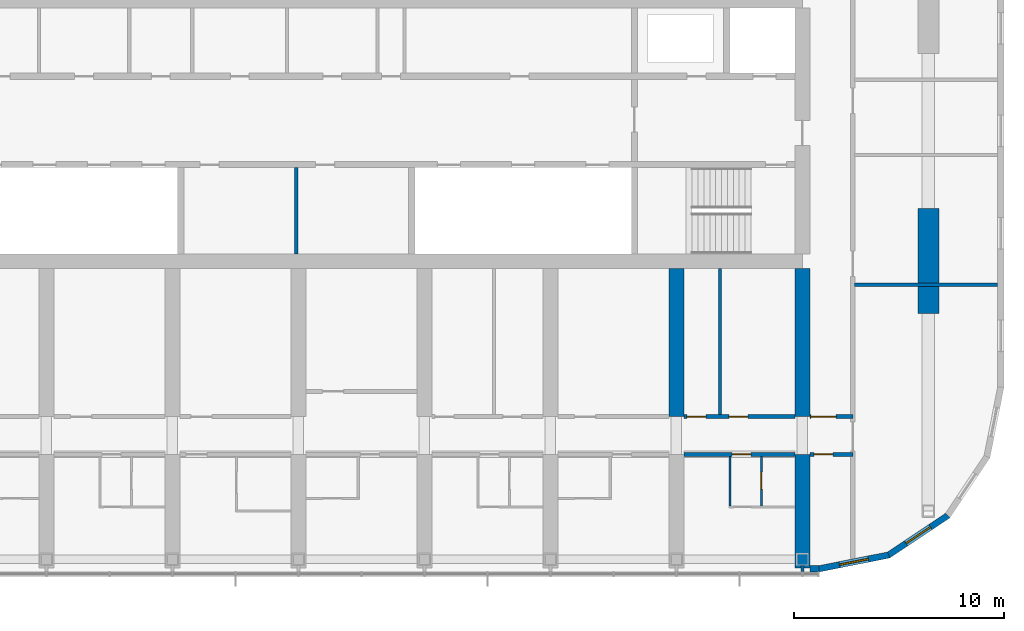
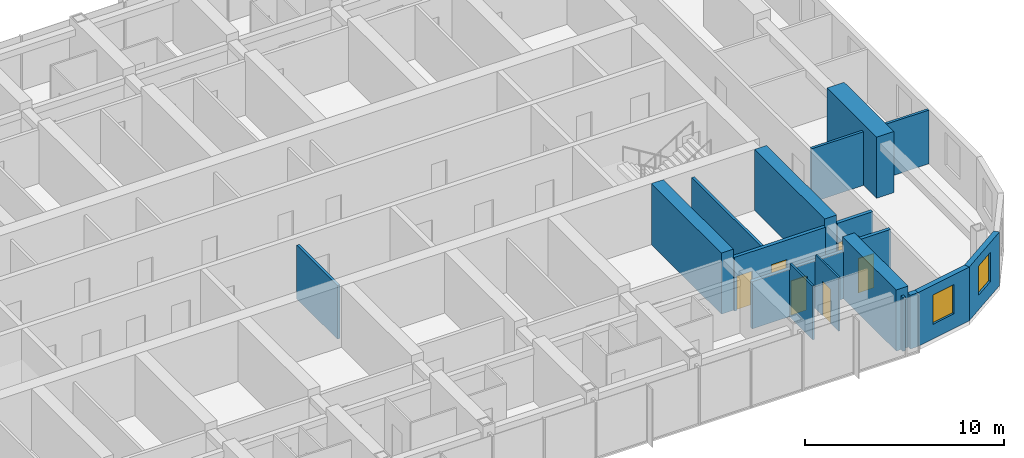
# One storey, part 13 of 23: 17 walls, 6 doors, 2 windows, 8 openings.
"""IFC4 building model written with IfcOpenShell, lengths in metres."""

from ifc_helpers import new_model, si_unit, direction, frame, frame_2d, origin, place, context, subcontext, project, spatial, polyline, rectangle, outline, extrude, material, layer, layer_set, type_object, element, fill, save


model = new_model("IFC4")

# Units and contexts
model_context = context("Model", 3, precision=1e-05, world=origin(), true_north=direction((0.0, 1.0)))
body_context = subcontext(model_context, "Body", "Model", "MODEL_VIEW")
ifc_project = project(units=[si_unit("LENGTHUNIT", "METRE"), si_unit("AREAUNIT", "SQUARE_METRE"), si_unit("VOLUMEUNIT", "CUBIC_METRE"), si_unit("PLANEANGLEUNIT", "RADIAN"), si_unit("MASSUNIT", "GRAM", prefix="KILO")], contexts=[model_context])

# Site, building, storey
site_placement = place(None, origin())
site = spatial("IfcSite", under=ifc_project, at=site_placement, CompositionType="ELEMENT")
building_placement = place(site_placement, origin())
building = spatial("IfcBuilding", under=site, at=building_placement, Name="Orbita Commons", CompositionType="ELEMENT")
storey_placement = place(building_placement, frame((0.0, 0.0, 227.800048828125)))
storey = spatial("IfcBuildingStorey", under=building, at=storey_placement, Name="L56", CompositionType="ELEMENT", Elevation=227.800048828125)

# Wall
ifc_material_1 = material(Name="Concrete blockwork", Category="masonry")
ifc_layer_1 = layer(ifc_material_1, 0.14990234375)
ifc_layer_set_1 = layer_set([ifc_layer_1], Name="Concrete blockwork")
wall_type_1 = type_object("IfcWallType", Name="Core partition 150 blockwork", PredefinedType="SOLIDWALL", material=ifc_layer_set_1)
wall_1_placement = place(storey_placement, frame((41.89990234375, 26.14990234375, 0.0), z_axis=(0.0, 0.0, 1.0), x_axis=(0.0, 1.0, 0.0)))
element("IfcWall", 1, at=wall_1_placement, inside=storey, type_object=wall_type_1, Name="Core partition 150 blockwork L56", PredefinedType="SOLIDWALL", context=body_context, shape_type="SweptSolid", body=[
    extrude(rectangle(XDim=4.10009765625, YDim=0.14990234375, at=frame_2d((2.050048828125, 0.0))), origin(), (0.0, 0.0, 1.0), 3.300048828125),
])

# Wall, opening, door
ifc_material_2 = material(Name="Concrete blockwork", Category="masonry")
ifc_layer_2 = layer(ifc_material_2, 0.199951171875)
ifc_layer_set_2 = layer_set([ifc_layer_2], Name="Concrete blockwork")
wall_type_2 = type_object("IfcWallType", Name="Corridor wall 200 blockwork", PredefinedType="SOLIDWALL", material=ifc_layer_set_2)
wall_2_placement = place(storey_placement, frame((60.35009765625, 16.60009765625, 0.0), z_axis=(0.0, 0.0, 1.0), x_axis=(1.0, 0.0, 0.0)))
wall_2 = element("IfcWall", 2, at=wall_2_placement, inside=storey, type_object=wall_type_2, Name="Corridor wall 200 blockwork L56", PredefinedType="SOLIDWALL", context=body_context, shape_type="SweptSolid", body=[
    extrude(outline(polyline([(0.0, 0.0), (5.2998046875, 0.0), (5.300048828125, 2.89990234375), (0.0, 2.89990234375), (0.0, 0.0)])), frame((0.0, 0.10009765625, 0.0), z_axis=(0.0, -1.0, 0.0), x_axis=(1.0, 0.0, 0.0)), (0.0, 0.0, 1.0), 0.199951171875),
])
opening_1_placement = place(wall_2_placement, frame((2.300048828125, 0.0, 0.0)))
opening_1 = element("IfcOpeningElement", 3, at=opening_1_placement, cuts=wall_2, Name="Opening D11", PredefinedType="OPENING", context=body_context, shape_type="SweptSolid", body=[
    extrude(rectangle(XDim=0.89990234375, YDim=2.10009765625, at=frame_2d((0.449951171875, 1.050048828125))), frame((0.0, 0.10986328125, 0.0), z_axis=(0.0, -1.0, 0.0), x_axis=(1.0, 0.0, 0.0)), (0.0, 0.0, 1.0), 0.219970703125),
])
ifc_material_3 = material(Name="Steel-faced fire door leaf", Category="steel")
door_type_1 = type_object("IfcDoorType", Name="Corridor door 20 min 900x2100", OperationType="SINGLE_SWING_LEFT", PredefinedType="DOOR", material=ifc_material_3)
door_1_placement = place(opening_1_placement, origin())
door_1 = element("IfcDoor", 4, at=door_1_placement, inside=storey, type_object=door_type_1, Name="Studio flat L56-S14 entrance door", OperationType="SINGLE_SWING_LEFT", OverallHeight=2.10009765625, OverallWidth=0.89990234375, PredefinedType="DOOR", context=body_context, shape_type="SweptSolid", body=[
    extrude(rectangle(XDim=0.89990234375, YDim=2.10009765625, at=frame_2d((0.449951171875, 1.050048828125))), frame((0.0, 0.02490234375, 0.0), z_axis=(0.0, -1.0, 0.0), x_axis=(1.0, 0.0, 0.0)), (0.0, 0.0, 1.0), 0.050048828125),
])
fill(opening_1, door_1)

wall_3_placement = place(storey_placement, frame((66.35009765625, 16.60009765625, 0.0), z_axis=(0.0, 0.0, 1.0), x_axis=(1.0, 0.0, 0.0)))
wall_3 = element("IfcWall", 5, at=wall_3_placement, inside=storey, type_object=wall_type_2, Name="Corridor wall 200 blockwork L56", PredefinedType="SOLIDWALL", context=body_context, shape_type="SweptSolid", body=[
    extrude(rectangle(XDim=2.0498046875, YDim=0.199951171875, at=frame_2d((1.02490234375, 0.0))), origin(), (0.0, 0.0, 1.0), 3.300048828125),
])
opening_2_placement = place(wall_3_placement, frame((0.199951171875, 0.0, 0.0)))
opening_2 = element("IfcOpeningElement", 6, at=opening_2_placement, cuts=wall_3, Name="Opening D05", PredefinedType="OPENING", context=body_context, shape_type="SweptSolid", body=[
    extrude(rectangle(XDim=0.89990234375, YDim=2.10009765625, at=frame_2d((0.449951171875, 1.050048828125))), frame((0.0, 0.10986328125, 0.0), z_axis=(0.0, -1.0, 0.0), x_axis=(1.0, 0.0, 0.0)), (0.0, 0.0, 1.0), 0.219970703125),
])
ifc_material_4 = material(Name="Steel-faced fire door leaf", Category="steel")
door_type_2 = type_object("IfcDoorType", Name="Service door 20 min 900x2100", OperationType="SINGLE_SWING_LEFT", PredefinedType="DOOR", material=ifc_material_4)
door_2_placement = place(opening_2_placement, origin())
door_2 = element("IfcDoor", 7, at=door_2_placement, inside=storey, type_object=door_type_2, Name="Linen store L56-KES door", OperationType="SINGLE_SWING_LEFT", OverallHeight=2.10009765625, OverallWidth=0.89990234375, PredefinedType="DOOR", context=body_context, shape_type="SweptSolid", body=[
    extrude(rectangle(XDim=0.89990234375, YDim=2.10009765625, at=frame_2d((0.449951171875, 1.050048828125))), frame((0.0, 0.02490234375, 0.0), z_axis=(0.0, -1.0, 0.0), x_axis=(1.0, 0.0, 0.0)), (0.0, 0.0, 1.0), 0.050048828125),
])
fill(opening_2, door_2)

# Wall, openings, doors
ifc_material_5 = material(Name="Hollow concrete block 200", Category="concrete")
ifc_layer_3 = layer(ifc_material_5, 0.199951171875)
ifc_layer_set_3 = layer_set([ifc_layer_3], Name="Hollow concrete block 200")
wall_type_3 = type_object("IfcWallType", Name="Corridor wall 200 hollow concrete block", PredefinedType="SOLIDWALL", material=ifc_layer_set_3)
wall_4_placement = place(storey_placement, frame((60.35009765625, 18.39990234375, 0.0), z_axis=(0.0, 0.0, 1.0), x_axis=(1.0, 0.0, 0.0)))
wall_4 = element("IfcWall", 8, at=wall_4_placement, inside=storey, type_object=wall_type_3, Name="Corridor wall 200 hollow concrete block L56", PredefinedType="SOLIDWALL", context=body_context, shape_type="SweptSolid", body=[
    extrude(rectangle(XDim=5.2998046875, YDim=0.199951171875, at=frame_2d((2.64990234375, 0.0))), origin(), (0.0, 0.0, 1.0), 3.300048828125),
])
opening_3_placement = place(wall_4_placement, frame((0.14990234375, 0.0, 0.0)))
opening_3 = element("IfcOpeningElement", 9, at=opening_3_placement, cuts=wall_4, Name="Opening D11", PredefinedType="OPENING", context=body_context, shape_type="SweptSolid", body=[
    extrude(rectangle(XDim=0.89990234375, YDim=2.10009765625, at=frame_2d((0.449951171875, 1.050048828125))), frame((0.0, 0.10986328125, 0.0), z_axis=(0.0, -1.0, 0.0), x_axis=(1.0, 0.0, 0.0)), (0.0, 0.0, 1.0), 0.219970703125),
])
opening_4_placement = place(wall_4_placement, frame((2.14990234375, 0.0, 0.0)))
opening_4 = element("IfcOpeningElement", 10, at=opening_4_placement, cuts=wall_4, Name="Opening D11", PredefinedType="OPENING", context=body_context, shape_type="SweptSolid", body=[
    extrude(rectangle(XDim=0.89990234375, YDim=2.10009765625, at=frame_2d((0.449951171875, 1.050048828125))), frame((0.0, 0.10986328125, 0.0), z_axis=(0.0, -1.0, 0.0), x_axis=(1.0, 0.0, 0.0)), (0.0, 0.0, 1.0), 0.219970703125),
])
door_3_placement = place(opening_3_placement, origin())
door_3 = element("IfcDoor", 11, at=door_3_placement, inside=storey, type_object=door_type_1, Name="Equipment store L56-BDS60n door", OperationType="SINGLE_SWING_LEFT", OverallHeight=2.10009765625, OverallWidth=0.89990234375, PredefinedType="DOOR", context=body_context, shape_type="SweptSolid", body=[
    extrude(rectangle(XDim=0.89990234375, YDim=2.10009765625, at=frame_2d((0.449951171875, 1.050048828125))), frame((0.0, 0.02490234375, 0.0), z_axis=(0.0, -1.0, 0.0), x_axis=(1.0, 0.0, 0.0)), (0.0, 0.0, 1.0), 0.050048828125),
])
fill(opening_3, door_3)
door_4_placement = place(opening_4_placement, origin())
door_4 = element("IfcDoor", 12, at=door_4_placement, inside=storey, type_object=door_type_1, Name="Ventilation plant room north L56-BDS60 door", OperationType="SINGLE_SWING_LEFT", OverallHeight=2.10009765625, OverallWidth=0.89990234375, PredefinedType="DOOR", context=body_context, shape_type="SweptSolid", body=[
    extrude(rectangle(XDim=0.89990234375, YDim=2.10009765625, at=frame_2d((0.449951171875, 1.050048828125))), frame((0.0, 0.02490234375, 0.0), z_axis=(0.0, -1.0, 0.0), x_axis=(1.0, 0.0, 0.0)), (0.0, 0.0, 1.0), 0.050048828125),
])
fill(opening_4, door_4)

# Wall, opening, door
wall_5_placement = place(storey_placement, frame((66.35009765625, 18.39990234375, 0.0), z_axis=(0.0, 0.0, 1.0), x_axis=(1.0, 0.0, 0.0)))
wall_5 = element("IfcWall", 13, at=wall_5_placement, inside=storey, type_object=wall_type_3, Name="Corridor wall 200 hollow concrete block L56", PredefinedType="SOLIDWALL", context=body_context, shape_type="SweptSolid", body=[
    extrude(rectangle(XDim=2.0498046875, YDim=0.199951171875, at=frame_2d((1.02490234375, 0.0))), origin(), (0.0, 0.0, 1.0), 3.300048828125),
])
opening_5_placement = place(wall_5_placement, frame((0.050048828125, 0.0, 0.0)))
opening_5 = element("IfcOpeningElement", 14, at=opening_5_placement, cuts=wall_5, Name="Opening D12", PredefinedType="OPENING", context=body_context, shape_type="SweptSolid", body=[
    extrude(rectangle(XDim=1.199951171875, YDim=2.10009765625, at=frame_2d((0.60009765625, 1.050048828125))), frame((0.0, 0.10986328125, 0.0), z_axis=(0.0, -1.0, 0.0), x_axis=(1.0, 0.0, 0.0)), (0.0, 0.0, 1.0), 0.219970703125),
])
ifc_material_6 = material(Name="Steel-faced fire door leaf", Category="steel")
door_type_3 = type_object("IfcDoorType", Name="Double corridor door 20 min 1200x2100", OperationType="DOUBLE_DOOR_SINGLE_SWING", PredefinedType="DOOR", material=ifc_material_6)
door_5_placement = place(opening_5_placement, origin())
door_5 = element("IfcDoor", 15, at=door_5_placement, inside=storey, type_object=door_type_3, Name="Cross corridor doors", OperationType="DOUBLE_DOOR_SINGLE_SWING", OverallHeight=2.10009765625, OverallWidth=1.199951171875, PredefinedType="DOOR", context=body_context, shape_type="SweptSolid", body=[
    extrude(rectangle(XDim=1.199951171875, YDim=2.10009765625, at=frame_2d((0.60009765625, 1.050048828125))), frame((0.0, 0.02490234375, 0.0), z_axis=(0.0, -1.0, 0.0), x_axis=(1.0, 0.0, 0.0)), (0.0, 0.0, 1.0), 0.050048828125),
])
fill(opening_5, door_5)

# Walls
ifc_material_7 = material(Name="Concrete C50/60", Category="concrete")
ifc_layer_4 = layer(ifc_material_7, 0.699951171875)
ifc_layer_set_4 = layer_set([ifc_layer_4], Name="Concrete C50/60")
wall_type_4 = type_object("IfcWallType", Name="Cross wall 700 C50/60", PredefinedType="SHEAR", material=ifc_layer_set_4)
wall_6_placement = place(storey_placement, frame((60.0, 18.39990234375, 0.0), z_axis=(0.0, 0.0, 1.0), x_axis=(0.0, 1.0, 0.0)))
element("IfcWall", 16, at=wall_6_placement, inside=storey, type_object=wall_type_4, Name="Cross wall 11 south inner L56", PredefinedType="SHEAR", context=body_context, shape_type="SweptSolid", body=[
    extrude(rectangle(XDim=7.050048828125, YDim=0.699951171875, at=frame_2d((3.52490234375, 0.0))), origin(), (0.0, 0.0, 1.0), 3.75),
])
wall_7_placement = place(storey_placement, frame((66.0, 11.199951171875, 0.0), z_axis=(0.0, 0.0, 1.0), x_axis=(0.0, 1.0, 0.0)))
element("IfcWall", 17, at=wall_7_placement, inside=storey, type_object=wall_type_4, Name="Cross wall 12 south outer L56", PredefinedType="SHEAR", context=body_context, shape_type="SweptSolid", body=[
    extrude(rectangle(XDim=5.400146484375, YDim=0.699951171875, at=frame_2d((2.7001953125, 0.0))), origin(), (0.0, 0.0, 1.0), 3.75),
])
wall_8_placement = place(storey_placement, frame((66.0, 18.39990234375, 0.0), z_axis=(0.0, 0.0, 1.0), x_axis=(0.0, 1.0, 0.0)))
element("IfcWall", 18, at=wall_8_placement, inside=storey, type_object=wall_type_4, Name="Cross wall 12 south inner L56", PredefinedType="SHEAR", context=body_context, shape_type="SweptSolid", body=[
    extrude(rectangle(XDim=7.050048828125, YDim=0.699951171875, at=frame_2d((3.52490234375, 0.0))), origin(), (0.0, 0.0, 1.0), 3.75),
])
ifc_material_8 = material(Name="Moisture-resistant plasterboard on steel studs", Category="steel")
ifc_layer_5 = layer(ifc_material_8, 0.10009765625)
ifc_layer_set_5 = layer_set([ifc_layer_5], Name="Moisture-resistant plasterboard on steel studs")
wall_type_5 = type_object("IfcWallType", Name="En-suite partition 100", PredefinedType="PARTITIONING", material=ifc_layer_set_5)
wall_9_placement = place(storey_placement, frame((62.550048828125, 14.14990234375, 0.0), z_axis=(0.0, 0.0, 1.0), x_axis=(0.0, 1.0, 0.0)))
element("IfcWall", 19, at=wall_9_placement, inside=storey, type_object=wall_type_5, Name="En-suite partition 100 L56", PredefinedType="PARTITIONING", context=body_context, shape_type="SweptSolid", body=[
    extrude(outline(polyline([(0.0, 0.0), (2.35009765625, 0.0), (2.35009765625, 2.89990234375), (2.302001953125, 2.89990234375), (2.300048828125, 3.300048828125), (0.0, 3.300048828125), (0.0, 0.0)])), frame((0.0, 0.050048828125, 0.0), z_axis=(0.0, -1.0, 0.0), x_axis=(1.0, 0.0, 0.0)), (0.0, 0.0, 1.0), 0.10009765625),
])

# Wall, opening, door
wall_10_placement = place(storey_placement, frame((64.050048828125, 14.14990234375, 0.0), z_axis=(0.0, 0.0, 1.0), x_axis=(0.0, 1.0, 0.0)))
wall_10 = element("IfcWall", 20, at=wall_10_placement, inside=storey, type_object=wall_type_5, Name="En-suite partition 100 L56", PredefinedType="PARTITIONING", context=body_context, shape_type="SweptSolid", body=[
    extrude(outline(polyline([(0.0, 0.0), (2.35009765625, 0.0), (2.35009765625, 2.89990234375), (2.302001953125, 2.89990234375), (2.300048828125, 3.300048828125), (0.0, 3.300048828125), (0.0, 0.0)])), frame((0.0, 0.050048828125, 0.0), z_axis=(0.0, -1.0, 0.0), x_axis=(1.0, 0.0, 0.0)), (0.0, 0.0, 1.0), 0.10009765625),
])
opening_6_placement = place(wall_10_placement, frame((0.800048828125, 0.0, 0.0)))
opening_6 = element("IfcOpeningElement", 21, at=opening_6_placement, cuts=wall_10, Name="Opening D16", PredefinedType="OPENING", context=body_context, shape_type="SweptSolid", body=[
    extrude(rectangle(XDim=0.800048828125, YDim=2.10009765625, at=frame_2d((0.39990234375, 1.050048828125))), frame((0.0, 0.06005859375, 0.0), z_axis=(0.0, -1.0, 0.0), x_axis=(1.0, 0.0, 0.0)), (0.0, 0.0, 1.0), 0.1201171875),
])
ifc_material_9 = material(Name="Laminated timber door leaf", Category="wood")
door_type_4 = type_object("IfcDoorType", Name="En-suite door 800x2100", OperationType="SINGLE_SWING_RIGHT", PredefinedType="DOOR", material=ifc_material_9)
door_6_placement = place(opening_6_placement, origin())
door_6 = element("IfcDoor", 22, at=door_6_placement, inside=storey, type_object=door_type_4, Name="Studio flat shower room L56-S14 door", OperationType="SINGLE_SWING_RIGHT", OverallHeight=2.10009765625, OverallWidth=0.800048828125, PredefinedType="DOOR", context=body_context, shape_type="SweptSolid", body=[
    extrude(rectangle(XDim=0.800048828125, YDim=2.10009765625, at=frame_2d((0.39990234375, 1.050048828125))), frame((0.0, 0.02490234375, 0.0), z_axis=(0.0, -1.0, 0.0), x_axis=(1.0, 0.0, 0.0)), (0.0, 0.0, 1.0), 0.050048828125),
])
fill(opening_6, door_6)

# Walls
ifc_material_10 = material(Name="Concrete C50/60", Category="concrete")
ifc_layer_6 = layer(ifc_material_10, 1.0)
ifc_layer_set_6 = layer_set([ifc_layer_6], Name="Concrete C50/60")
wall_type_6 = type_object("IfcWallType", Name="End pier 1000x5000 C50/60", PredefinedType="SHEAR", material=ifc_layer_set_6)
wall_11_placement = place(storey_placement, frame((72.0, 23.300048828125, 0.0), z_axis=(0.0, 0.0, 1.0), x_axis=(0.0, 1.0, 0.0)))
element("IfcWall", 23, at=wall_11_placement, inside=storey, type_object=wall_type_6, Name="End pier 13/C L56", PredefinedType="SHEAR", context=body_context, shape_type="SweptSolid", body=[
    extrude(rectangle(XDim=5.0, YDim=1.0, at=frame_2d((2.5, 0.0))), origin(), (0.0, 0.0, 1.0), 3.75),
])
ifc_material_11 = material(Name="Gypsum plasterboard on steel studs", Category="steel")
ifc_layer_7 = layer(ifc_material_11, 0.14990234375)
ifc_layer_set_7 = layer_set([ifc_layer_7], Name="Gypsum plasterboard on steel studs")
wall_type_7 = type_object("IfcWallType", Name="Partition 150 plasterboard", PredefinedType="PARTITIONING", material=ifc_layer_set_7)
wall_12_placement = place(storey_placement, frame((62.074951171875, 18.5, 0.0), z_axis=(0.0, 0.0, 1.0), x_axis=(0.0, 1.0, 0.0)))
element("IfcWall", 24, at=wall_12_placement, inside=storey, type_object=wall_type_7, Name="Partition 150 plasterboard L56", PredefinedType="PARTITIONING", context=body_context, shape_type="SweptSolid", body=[
    extrude(rectangle(XDim=6.949951171875, YDim=0.14990234375, at=frame_2d((3.47509765625, 0.0))), origin(), (0.0, 0.0, 1.0), 3.300048828125),
])
wall_13_placement = place(storey_placement, frame((68.47509765625, 24.679931640625, 0.0), z_axis=(0.0, 0.0, 1.0), x_axis=(1.0, 0.0, 0.0)))
element("IfcWall", 25, at=wall_13_placement, inside=storey, type_object=wall_type_7, Name="Partition 150 plasterboard L56", PredefinedType="PARTITIONING", context=body_context, shape_type="SweptSolid", body=[
    extrude(rectangle(XDim=6.81982421875, YDim=0.14990234375, at=frame_2d((3.409912109375, 0.0))), origin(), (0.0, 0.0, 1.0), 3.300048828125),
])
wall_14_placement = place(storey_placement, frame((66.0, 11.300048828125, 0.0), z_axis=(0.0, 0.0, 1.0), x_axis=(0.0, -1.0, 0.0)))
element("IfcWall", 26, at=wall_14_placement, inside=storey, type_object=wall_type_7, Name="Partition 150 plasterboard L56", PredefinedType="PARTITIONING", context=body_context, shape_type="SweptSolid", body=[
    extrude(rectangle(XDim=0.2900390625, YDim=0.14990234375, at=frame_2d((0.14501953125, 0.0))), origin(), (0.0, 0.0, 1.0), 3.300048828125),
])

# Wall, opening, window
ifc_material_12 = material(Name="Precast concrete C40/50, white board-marked finish", Category="concrete")
ifc_layer_8 = layer(ifc_material_12, 0.300048828125)
ifc_layer_set_8 = layer_set([ifc_layer_8], Name="Precast concrete C40/50, white board-marked finish")
wall_type_8 = type_object("IfcWallType", Name="Precast concrete end shield 300", PredefinedType="SOLIDWALL", material=ifc_layer_set_8)
wall_15_placement = place(storey_placement, frame((66.800048828125, 11.14990234375, 0.0), z_axis=(0.0, 0.0, 1.0), x_axis=(0.98078325777, 0.195100490205, 0.0)))
wall_15 = element("IfcWall", 27, at=wall_15_placement, inside=storey, type_object=wall_type_8, Name="End shield SE chord 1 L56", PredefinedType="SOLIDWALL", context=body_context, shape_type="SweptSolid", body=[
    extrude(outline(polyline([(-0.02978515625, -0.14990234375), (3.40478515625, -0.14990234375), (3.34521484375, 0.14990234375), (0.02978515625, 0.14990234375), (-0.02978515625, -0.14990234375)])), origin(), (0.0, 0.0, 1.0), 3.300048828125),
])
opening_7_placement = place(wall_15_placement, frame((0.987548828125, 0.0, 0.89990234375)))
opening_7 = element("IfcOpeningElement", 28, at=opening_7_placement, cuts=wall_15, Name="Opening W02", PredefinedType="OPENING", context=body_context, shape_type="SweptSolid", body=[
    extrude(rectangle(XDim=1.39990234375, YDim=1.800048828125, at=frame_2d((0.699951171875, 0.89990234375))), frame((0.0, 0.159912109375, 0.0), z_axis=(0.0, -1.0, 0.0), x_axis=(1.0, 0.0, 0.0)), (0.0, 0.0, 1.0), 0.320068359375),
])
ifc_material_13 = material(Name="Aluminium frame, clear double glazing", Category="aluminium")
window_type = type_object("IfcWindowType", Name="Deep-set window 1400x1800", PartitioningType="SINGLE_PANEL", PredefinedType="WINDOW", material=ifc_material_13)
window_1_placement = place(opening_7_placement, origin())
window_1 = element("IfcWindow", 29, at=window_1_placement, inside=storey, type_object=window_type, Name="Window L56-SE0", OverallHeight=1.800048828125, OverallWidth=1.39990234375, PartitioningType="SINGLE_PANEL", PredefinedType="WINDOW", context=body_context, shape_type="SweptSolid", body=[
    extrude(rectangle(XDim=1.39990234375, YDim=1.800048828125, at=frame_2d((0.699951171875, 0.89990234375))), frame((0.0, 0.030029296875, 0.0), z_axis=(0.0, -1.0, 0.0), x_axis=(1.0, 0.0, 0.0)), (0.0, 0.0, 1.0), 0.06005859375),
])
fill(opening_7, window_1)

wall_16_placement = place(storey_placement, frame((70.110107421875, 11.808349609375, 0.0), z_axis=(0.0, 0.0, 1.0), x_axis=(0.831460037396, 0.555584562613, 0.0)))
wall_16 = element("IfcWall", 30, at=wall_16_placement, inside=storey, type_object=wall_type_8, Name="End shield SE chord 2 L56", PredefinedType="SOLIDWALL", context=body_context, shape_type="SweptSolid", body=[
    extrude(outline(polyline([(-0.02978515625, -0.14990234375), (3.405029296875, -0.14990234375), (3.345458984375, 0.14990234375), (0.02978515625, 0.14990234375), (-0.02978515625, -0.14990234375)])), origin(), (0.0, 0.0, 1.0), 3.300048828125),
])
opening_8_placement = place(wall_16_placement, frame((0.987548828125, 0.0, 0.89990234375)))
opening_8 = element("IfcOpeningElement", 31, at=opening_8_placement, cuts=wall_16, Name="Opening W02", PredefinedType="OPENING", context=body_context, shape_type="SweptSolid", body=[
    extrude(rectangle(XDim=1.39990234375, YDim=1.800048828125, at=frame_2d((0.699951171875, 0.89990234375))), frame((0.0, 0.159912109375, 0.0), z_axis=(0.0, -1.0, 0.0), x_axis=(1.0, 0.0, 0.0)), (0.0, 0.0, 1.0), 0.320068359375),
])
window_2_placement = place(opening_8_placement, origin())
window_2 = element("IfcWindow", 32, at=window_2_placement, inside=storey, type_object=window_type, Name="Window L56-SE1", OverallHeight=1.800048828125, OverallWidth=1.39990234375, PartitioningType="SINGLE_PANEL", PredefinedType="WINDOW", context=body_context, shape_type="SweptSolid", body=[
    extrude(rectangle(XDim=1.39990234375, YDim=1.800048828125, at=frame_2d((0.699951171875, 0.89990234375))), frame((0.0, 0.030029296875, 0.0), z_axis=(0.0, -1.0, 0.0), x_axis=(1.0, 0.0, 0.0)), (0.0, 0.0, 1.0), 0.06005859375),
])
fill(opening_8, window_2)

# Wall
wall_17_placement = place(storey_placement, frame((66.800048828125, 11.14990234375, 0.0), z_axis=(0.0, 0.0, 1.0), x_axis=(-1.0, 0.0, 0.0)))
element("IfcWall", 33, at=wall_17_placement, inside=storey, type_object=wall_type_8, Name="End shield SE closer L56", PredefinedType="SOLIDWALL", context=body_context, shape_type="SweptSolid", body=[
    extrude(rectangle(XDim=0.449951171875, YDim=0.300048828125, at=frame_2d((0.22509765625, 0.0))), origin(), (0.0, 0.0, 1.0), 3.300048828125),
])

save(model, "model.ifc")
